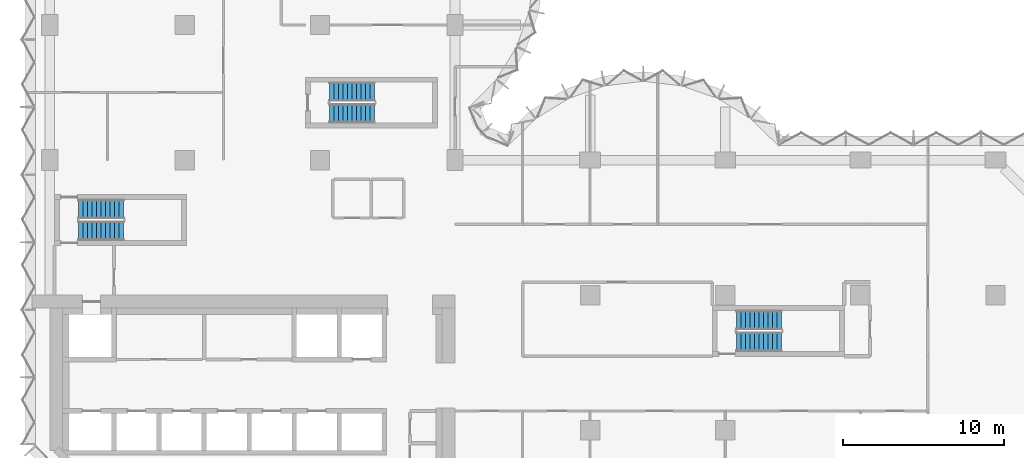
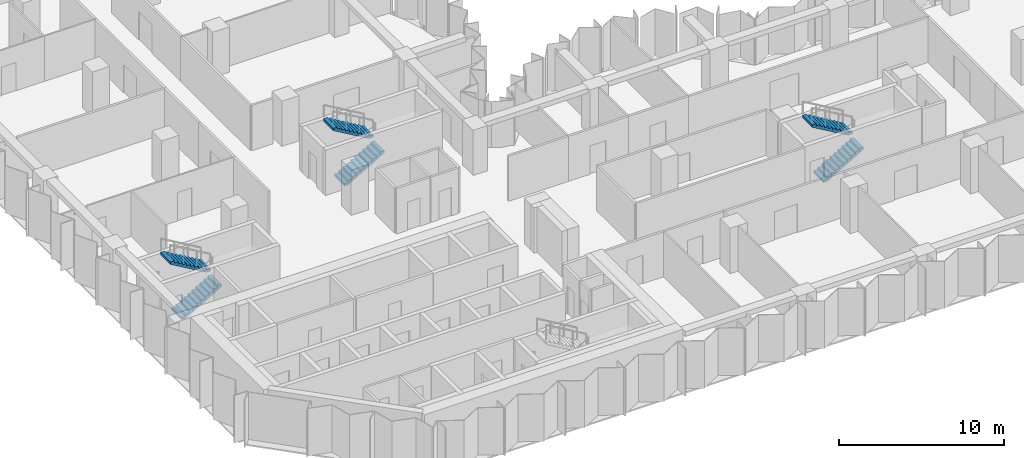
# One storey, part 11 of 13: 6 stair flights, 3 elements without a shape of their own.
"""IFC4 building model written with IfcOpenShell, lengths in metres."""

from ifc_helpers import new_model, si_unit, direction, frame, origin, place, context, subcontext, project, spatial, polyline, outline, extrude, material, type_object, element, aggregate, save


model = new_model("IFC4")

# Units and contexts
model_context = context("Model", 3, precision=1e-05, world=origin(), true_north=direction((0.0, 1.0)))
body_context = subcontext(model_context, "Body", "Model", "MODEL_VIEW")
ifc_project = project(units=[si_unit("LENGTHUNIT", "METRE"), si_unit("AREAUNIT", "SQUARE_METRE"), si_unit("VOLUMEUNIT", "CUBIC_METRE"), si_unit("PLANEANGLEUNIT", "RADIAN"), si_unit("MASSUNIT", "GRAM", prefix="KILO")], contexts=[model_context])

# Site, building, storey
site_placement = place(None, origin())
site = spatial("IfcSite", under=ifc_project, at=site_placement, CompositionType="ELEMENT")
building_placement = place(site_placement, origin())
building = spatial("IfcBuilding", under=site, at=building_placement, Name="Brevane Broadcast Tower", CompositionType="ELEMENT")
storey_placement = place(building_placement, frame((0.0, 0.0, 120.5)))
storey = spatial("IfcBuildingStorey", under=building, at=storey_placement, Name="L29", CompositionType="ELEMENT", Elevation=120.5)

# Stair, stair flights
ifc_material = material(Name="Concrete C50/60", Category="concrete")
stair_type = type_object("IfcStairType", Name="Exit stair 22 risers", PredefinedType="HALF_TURN_STAIR", material=ifc_material)
stair_1_placement = place(storey_placement, origin())
stair_1 = element("IfcStair", 1, at=stair_1_placement, inside=storey, type_object=stair_type, Name="L29 Exit stair ST-1", PredefinedType="HALF_TURN_STAIR")
stair_flight_type = type_object("IfcStairFlightType", Name="Exit stair flight 22 risers", PredefinedType="STRAIGHT", material=ifc_material)
stair_flight_1_placement = place(storey_placement, frame((1.800048828125, 20.800048828125, 0.0), z_axis=(0.0, 0.0, 1.0), x_axis=(1.0, 0.0, 0.0)))
stair_flight_1 = element("IfcStairFlight", 2, at=stair_flight_1_placement, type_object=stair_flight_type, Name="ST-1 flight 1", NumberOfRisers=11, NumberOfTreads=10, PredefinedType="STRAIGHT", RiserHeight=0.163636364, TreadLength=0.28, context=body_context, shape_type="SweptSolid", body=[
    extrude(outline(polyline([(0.0, 0.0), (0.0, 0.16357421875), (0.280029296875, 0.16357421875), (0.280029296875, 0.327392578125), (0.56005859375, 0.327392578125), (0.56005859375, 0.490966796875), (0.840087890625, 0.490966796875), (0.840087890625, 0.654541015625), (1.1201171875, 0.654541015625), (1.1201171875, 0.818115234375), (1.39990234375, 0.818115234375), (1.39990234375, 0.98193359375), (1.679931640625, 0.98193359375), (1.679931640625, 1.1455078125), (1.9599609375, 1.1455078125), (1.9599609375, 1.30908203125), (2.239990234375, 1.30908203125), (2.239990234375, 1.47265625), (2.52001953125, 1.47265625), (2.52001953125, 1.636474609375), (2.800048828125, 1.636474609375), (2.800048828125, 1.800048828125), (2.800048828125, 1.462646484375), (0.297119140625, 0.0), (0.0, 0.0)])), frame((0.0, 0.60009765625, 0.0), z_axis=(0.0, -1.0, 0.0), x_axis=(1.0, 0.0, 0.0)), (0.0, 0.0, 1.0), 1.199951171875),
])
stair_flight_2_placement = place(storey_placement, frame((4.60009765625, 22.14990234375, 1.800048828125), z_axis=(0.0, 0.0, 1.0), x_axis=(-1.0, 0.0, 0.0)))
stair_flight_2 = element("IfcStairFlight", 3, at=stair_flight_2_placement, type_object=stair_flight_type, Name="ST-1 flight 2", NumberOfRisers=11, NumberOfTreads=10, PredefinedType="STRAIGHT", RiserHeight=0.163636364, TreadLength=0.28, context=body_context, shape_type="SweptSolid", body=[
    extrude(outline(polyline([(0.0, 0.0), (0.0, 0.16357421875), (0.280029296875, 0.16357421875), (0.280029296875, 0.327392578125), (0.56005859375, 0.327392578125), (0.56005859375, 0.490966796875), (0.840087890625, 0.490966796875), (0.840087890625, 0.654541015625), (1.1201171875, 0.654541015625), (1.1201171875, 0.818115234375), (1.39990234375, 0.818115234375), (1.39990234375, 0.98193359375), (1.679931640625, 0.98193359375), (1.679931640625, 1.1455078125), (1.9599609375, 1.1455078125), (1.9599609375, 1.30908203125), (2.239990234375, 1.30908203125), (2.239990234375, 1.47265625), (2.52001953125, 1.47265625), (2.52001953125, 1.636474609375), (2.800048828125, 1.636474609375), (2.800048828125, 1.800048828125), (2.800048828125, 1.462646484375), (0.297119140625, 0.0), (0.0, 0.0)])), frame((0.0, 0.60009765625, 0.0), z_axis=(0.0, -1.0, 0.0), x_axis=(1.0, 0.0, 0.0)), (0.0, 0.0, 1.0), 1.199951171875),
])
aggregate(stair_1, [stair_flight_1, stair_flight_2])

stair_2_placement = place(storey_placement, origin())
stair_2 = element("IfcStair", 4, at=stair_2_placement, inside=storey, type_object=stair_type, Name="L29 Exit stair ST-3", PredefinedType="HALF_TURN_STAIR")
stair_flight_3_placement = place(storey_placement, frame((17.39990234375, 28.10009765625, 0.0), z_axis=(0.0, 0.0, 1.0), x_axis=(1.0, 0.0, 0.0)))
stair_flight_3 = element("IfcStairFlight", 5, at=stair_flight_3_placement, type_object=stair_flight_type, Name="ST-3 flight 1", NumberOfRisers=11, NumberOfTreads=10, PredefinedType="STRAIGHT", RiserHeight=0.163636364, TreadLength=0.28, context=body_context, shape_type="SweptSolid", body=[
    extrude(outline(polyline([(0.0, 0.0), (0.0, 0.16357421875), (0.280029296875, 0.16357421875), (0.280029296875, 0.327392578125), (0.56005859375, 0.327392578125), (0.56005859375, 0.490966796875), (0.840087890625, 0.490966796875), (0.840087890625, 0.654541015625), (1.1201171875, 0.654541015625), (1.1201171875, 0.818115234375), (1.39990234375, 0.818115234375), (1.39990234375, 0.98193359375), (1.679931640625, 0.98193359375), (1.679931640625, 1.1455078125), (1.9599609375, 1.1455078125), (1.9599609375, 1.30908203125), (2.239990234375, 1.30908203125), (2.239990234375, 1.47265625), (2.52001953125, 1.47265625), (2.52001953125, 1.636474609375), (2.800048828125, 1.636474609375), (2.800048828125, 1.800048828125), (2.800048828125, 1.462646484375), (0.297119140625, 0.0), (0.0, 0.0)])), frame((0.0, 0.60009765625, 0.0), z_axis=(0.0, -1.0, 0.0), x_axis=(1.0, 0.0, 0.0)), (0.0, 0.0, 1.0), 1.199951171875),
])
stair_flight_4_placement = place(storey_placement, frame((20.199951171875, 29.449951171875, 1.800048828125), z_axis=(0.0, 0.0, 1.0), x_axis=(-1.0, 0.0, 0.0)))
stair_flight_4 = element("IfcStairFlight", 6, at=stair_flight_4_placement, type_object=stair_flight_type, Name="ST-3 flight 2", NumberOfRisers=11, NumberOfTreads=10, PredefinedType="STRAIGHT", RiserHeight=0.163636364, TreadLength=0.28, context=body_context, shape_type="SweptSolid", body=[
    extrude(outline(polyline([(0.0, 0.0), (0.0, 0.16357421875), (0.280029296875, 0.16357421875), (0.280029296875, 0.327392578125), (0.56005859375, 0.327392578125), (0.56005859375, 0.490966796875), (0.840087890625, 0.490966796875), (0.840087890625, 0.654541015625), (1.1201171875, 0.654541015625), (1.1201171875, 0.818115234375), (1.39990234375, 0.818115234375), (1.39990234375, 0.98193359375), (1.679931640625, 0.98193359375), (1.679931640625, 1.1455078125), (1.9599609375, 1.1455078125), (1.9599609375, 1.30908203125), (2.239990234375, 1.30908203125), (2.239990234375, 1.47265625), (2.52001953125, 1.47265625), (2.52001953125, 1.636474609375), (2.800048828125, 1.636474609375), (2.800048828125, 1.800048828125), (2.800048828125, 1.462646484375), (0.297119140625, 0.0), (0.0, 0.0)])), frame((0.0, 0.60009765625, 0.0), z_axis=(0.0, -1.0, 0.0), x_axis=(1.0, 0.0, 0.0)), (0.0, 0.0, 1.0), 1.199951171875),
])
aggregate(stair_2, [stair_flight_3, stair_flight_4])

stair_3_placement = place(storey_placement, origin())
stair_3 = element("IfcStair", 7, at=stair_3_placement, inside=storey, type_object=stair_type, Name="L29 Exit stair ST-4", PredefinedType="HALF_TURN_STAIR")
stair_flight_5_placement = place(storey_placement, frame((42.699951171875, 13.89990234375, 0.0), z_axis=(0.0, 0.0, 1.0), x_axis=(1.0, 0.0, 0.0)))
stair_flight_5 = element("IfcStairFlight", 8, at=stair_flight_5_placement, type_object=stair_flight_type, Name="ST-4 flight 1", NumberOfRisers=11, NumberOfTreads=10, PredefinedType="STRAIGHT", RiserHeight=0.163636364, TreadLength=0.28, context=body_context, shape_type="SweptSolid", body=[
    extrude(outline(polyline([(0.0, 0.0), (0.0, 0.16357421875), (0.280029296875, 0.16357421875), (0.280029296875, 0.327392578125), (0.56005859375, 0.327392578125), (0.56005859375, 0.490966796875), (0.840087890625, 0.490966796875), (0.840087890625, 0.654541015625), (1.1201171875, 0.654541015625), (1.1201171875, 0.818115234375), (1.39990234375, 0.818115234375), (1.39990234375, 0.98193359375), (1.679931640625, 0.98193359375), (1.679931640625, 1.1455078125), (1.9599609375, 1.1455078125), (1.9599609375, 1.30908203125), (2.239990234375, 1.30908203125), (2.239990234375, 1.47265625), (2.52001953125, 1.47265625), (2.52001953125, 1.636474609375), (2.800048828125, 1.636474609375), (2.800048828125, 1.800048828125), (2.800048828125, 1.462646484375), (0.297119140625, 0.0), (0.0, 0.0)])), frame((0.0, 0.60009765625, 0.0), z_axis=(0.0, -1.0, 0.0), x_axis=(1.0, 0.0, 0.0)), (0.0, 0.0, 1.0), 1.199951171875),
])
stair_flight_6_placement = place(storey_placement, frame((45.5, 15.25, 1.800048828125), z_axis=(0.0, 0.0, 1.0), x_axis=(-1.0, 0.0, 0.0)))
stair_flight_6 = element("IfcStairFlight", 9, at=stair_flight_6_placement, type_object=stair_flight_type, Name="ST-4 flight 2", NumberOfRisers=11, NumberOfTreads=10, PredefinedType="STRAIGHT", RiserHeight=0.163636364, TreadLength=0.28, context=body_context, shape_type="SweptSolid", body=[
    extrude(outline(polyline([(0.0, 0.0), (0.0, 0.16357421875), (0.280029296875, 0.16357421875), (0.280029296875, 0.327392578125), (0.56005859375, 0.327392578125), (0.56005859375, 0.490966796875), (0.840087890625, 0.490966796875), (0.840087890625, 0.654541015625), (1.1201171875, 0.654541015625), (1.1201171875, 0.818115234375), (1.39990234375, 0.818115234375), (1.39990234375, 0.98193359375), (1.679931640625, 0.98193359375), (1.679931640625, 1.1455078125), (1.9599609375, 1.1455078125), (1.9599609375, 1.30908203125), (2.239990234375, 1.30908203125), (2.239990234375, 1.47265625), (2.52001953125, 1.47265625), (2.52001953125, 1.636474609375), (2.800048828125, 1.636474609375), (2.800048828125, 1.800048828125), (2.800048828125, 1.462646484375), (0.297119140625, 0.0), (0.0, 0.0)])), frame((0.0, 0.60009765625, 0.0), z_axis=(0.0, -1.0, 0.0), x_axis=(1.0, 0.0, 0.0)), (0.0, 0.0, 1.0), 1.199951171875),
])
aggregate(stair_3, [stair_flight_5, stair_flight_6])

save(model, "model.ifc")
